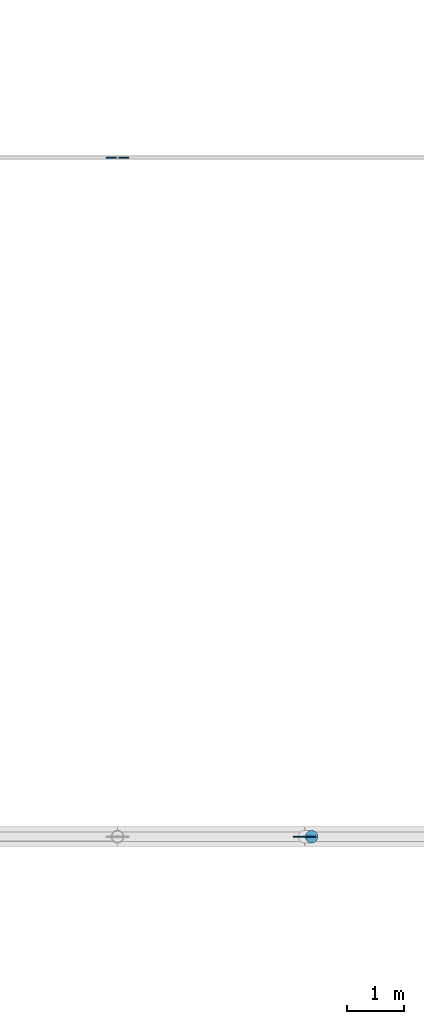
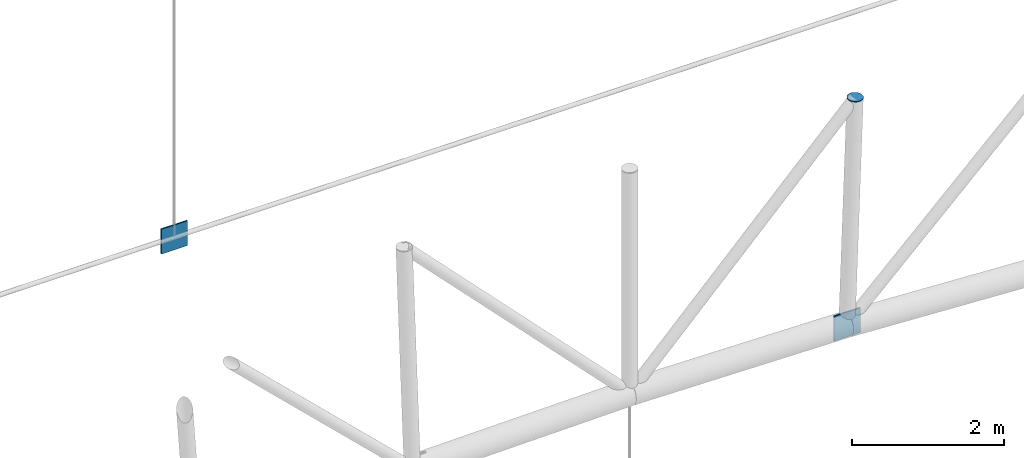
# One storey, part 276 of 321: 3 discrete accessories.
"""IFC4 building model written with IfcOpenShell, lengths in metres."""

from ifc_helpers import new_model, si_unit, direction, frame, origin, origin_2d, place, context, subcontext, project, spatial, rectangle, circle, extrude, material, material_profile, profile_set, type_object, element, save


model = new_model("IFC4")

# Units and contexts
model_context = context("Model", 3, precision=1e-05, world=origin(), true_north=direction((0.0, 1.0)))
body_context = subcontext(model_context, "Body", "Model", "MODEL_VIEW")
ifc_project = project(units=[si_unit("LENGTHUNIT", "METRE"), si_unit("AREAUNIT", "SQUARE_METRE"), si_unit("VOLUMEUNIT", "CUBIC_METRE"), si_unit("PLANEANGLEUNIT", "RADIAN"), si_unit("MASSUNIT", "GRAM", prefix="KILO")], contexts=[model_context])

# Site, building, storey
site_placement = place(None, origin())
site = spatial("IfcSite", under=ifc_project, at=site_placement, CompositionType="ELEMENT")
building_placement = place(site_placement, origin())
building = spatial("IfcBuilding", under=site, at=building_placement, Name="Ravi Spectrum Wholesale Market", CompositionType="ELEMENT")
storey_placement = place(building_placement, frame((0.0, 0.0, 10.800048828125)))
storey = spatial("IfcBuildingStorey", under=building, at=storey_placement, Name="L02", CompositionType="ELEMENT", Elevation=10.800048828125)

# Discrete accessories
ifc_material_1 = material(Name="Steel S355", Category="steel")
ifc_material_profile_1 = material_profile(ifc_material_1, circle(Radius=0.109619140625, at=origin_2d()))
ifc_profile_set_1 = profile_set([ifc_material_profile_1], Name="Steel S355")
discrete_accessory_type_1 = type_object("IfcDiscreteAccessoryType", Name="End plate CHS 219.1x8", PredefinedType="BRACKET", material=ifc_profile_set_1)
discrete_accessory_placement = place(storey_placement, frame((73.4296875, 126.0, 8.3408203125), z_axis=(0.040782369514, 0.0, 0.999168053101), x_axis=(0.0, 1.0, 0.0)))
element("IfcDiscreteAccessory", 1, at=discrete_accessory_placement, inside=storey, type_object=discrete_accessory_type_1, Name="End plate", PredefinedType="BRACKET", context=body_context, shape_type="SweptSolid", body=[
    extrude(circle(Radius=0.109619140625, at=origin_2d()), origin(), (0.0, 0.0, 1.0), 0.011962890625),
])
ifc_material_2 = material(Name="Steel S355", Category="steel")
ifc_material_profile_2 = material_profile(ifc_material_2, rectangle(XDim=0.39990234375, YDim=0.02001953125, at=origin_2d()))
ifc_profile_set_2 = profile_set([ifc_material_profile_2], Name="Steel S355")
discrete_accessory_type_2 = type_object("IfcDiscreteAccessoryType", Name="Gusset plate 400x400x20", PredefinedType="BRACKET", material=ifc_profile_set_2)
for number, where, z_axis, x_axis, name in (
    (2, (70.0, 138.0, -0.1767578125), (0.0, 0.0, 1.0), (1.0, 0.0, 0.0), "Gusset plate"),
    (3, (73.3056640625, 126.0, 4.54296875), (0.0, 0.0, 1.0), (-1.0, 0.0, 0.0), "Gusset plate"),
):
    element("IfcDiscreteAccessory", number, at=place(storey_placement, frame(where, z_axis=z_axis, x_axis=x_axis)), inside=storey, type_object=discrete_accessory_type_2, Name=name, PredefinedType="BRACKET", context=body_context, shape_type="SweptSolid", body=[
        extrude(rectangle(XDim=0.39990234375, YDim=0.02001953125, at=origin_2d()), origin(), (0.0, 0.0, 1.0), 0.39990234375),
    ])

save(model, "model.ifc")
